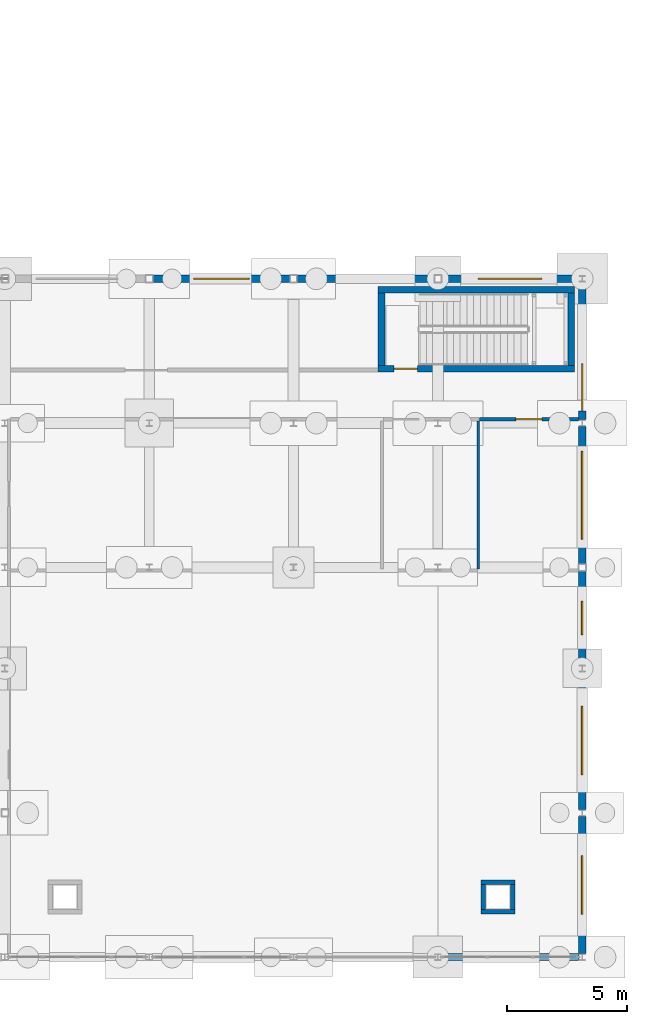
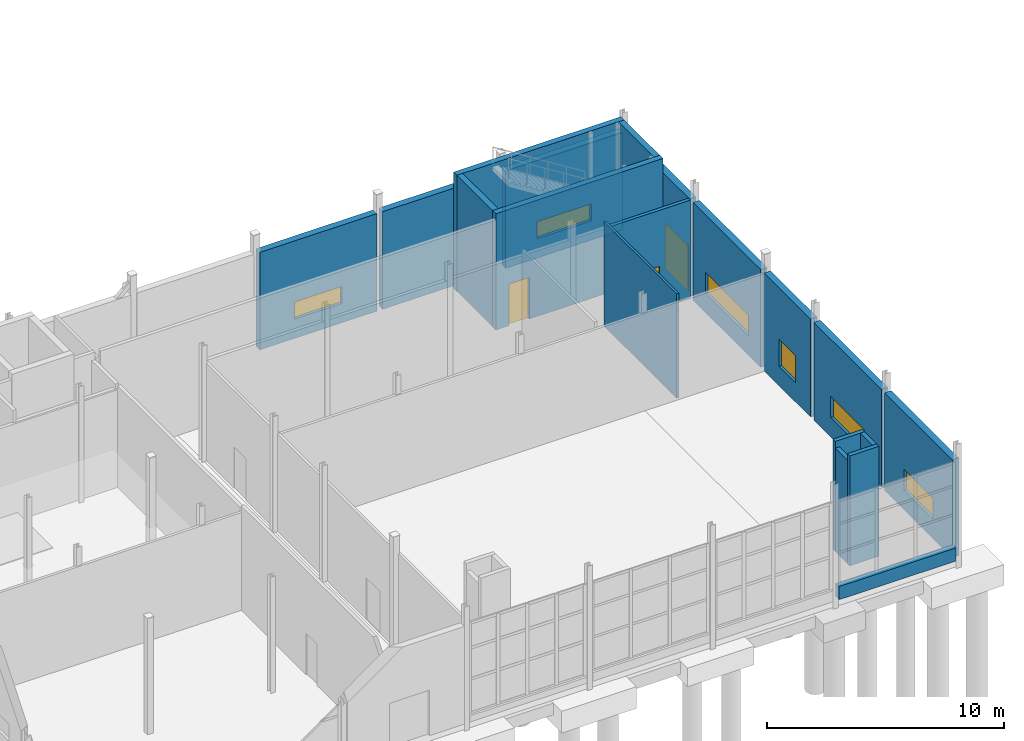
# One storey, part 102 of 120: 19 walls, 6 windows, 3 doors, 9 openings.
"""IFC4 building model written with IfcOpenShell, lengths in metres."""

from ifc_helpers import new_model, si_unit, direction, frame, frame_2d, origin, place, context, subcontext, project, spatial, rectangle, extrude, material, layer, layer_set, type_object, element, fill, save


model = new_model("IFC4")

# Units and contexts
model_context = context("Model", 3, precision=1e-05, world=origin(), true_north=direction((0.0, 1.0)))
body_context = subcontext(model_context, "Body", "Model", "MODEL_VIEW")
ifc_project = project(units=[si_unit("LENGTHUNIT", "METRE"), si_unit("AREAUNIT", "SQUARE_METRE"), si_unit("VOLUMEUNIT", "CUBIC_METRE"), si_unit("PLANEANGLEUNIT", "RADIAN"), si_unit("MASSUNIT", "GRAM", prefix="KILO")], contexts=[model_context])

# Site, building, storey
site_placement = place(None, origin())
site = spatial("IfcSite", under=ifc_project, at=site_placement, CompositionType="ELEMENT")
building_placement = place(site_placement, origin())
building = spatial("IfcBuilding", under=site, at=building_placement, Name="Siltcreek Boulevard Central Fire Station", CompositionType="ELEMENT")
storey_placement = place(building_placement, origin())
storey = spatial("IfcBuildingStorey", under=building, at=storey_placement, Name="L01", CompositionType="ELEMENT", Elevation=0.0)

# Wall, opening, door
ifc_material_1 = material(Name="Concrete C40/50", Category="concrete")
ifc_layer_1 = layer(ifc_material_1, 0.280029296875, Name="Concrete C40/50")
ifc_layer_set_1 = layer_set([ifc_layer_1], Name="Concrete C40/50")
wall_type_1 = type_object("IfcWallType", Name="CW_SHEAR280", PredefinedType="SHEAR", material=ifc_layer_set_1)
wall_1_placement = place(storey_placement, frame((157.719970703125, 26.260009765625, 0.0), z_axis=(0.0, 0.0, 1.0), x_axis=(1.0, 0.0, 0.0)))
wall_1 = element("IfcWall", 1, at=wall_1_placement, inside=storey, type_object=wall_type_1, Name="L01 ST-V6B stair enclosure south shear wall", PredefinedType="SHEAR", context=body_context, shape_type="SweptSolid", body=[
    extrude(rectangle(XDim=8.159912109375, YDim=0.280029296875, at=frame_2d((4.080078125, 0.0))), origin(), (0.0, 0.0, 1.0), 6.0),
])
opening_1_placement = place(wall_1_placement, frame((0.64990234375, 0.0, 0.0)))
opening_1 = element("IfcOpeningElement", 2, at=opening_1_placement, cuts=wall_1, Name="Opening SD-047", PredefinedType="OPENING", context=body_context, shape_type="SweptSolid", body=[
    extrude(rectangle(XDim=0.97998046875, YDim=2.14990234375, at=frame_2d((0.489990234375, 1.074951171875))), frame((0.0, 0.14990234375, 0.0), z_axis=(0.0, -1.0, 0.0), x_axis=(1.0, 0.0, 0.0)), (0.0, 0.0, 1.0), 0.300048828125),
])
ifc_material_2 = material(Name="Hollow metal 90-min enclosed stair door")
door_type_1 = type_object("IfcDoorType", Name="DR_ST_098X215", OperationType="NOTDEFINED", PredefinedType="DOOR", material=ifc_material_2)
door_1_placement = place(opening_1_placement, origin())
door_1 = element("IfcDoor", 3, at=door_1_placement, inside=storey, type_object=door_type_1, Name="L01 ST-V6B enclosed exit stair door SD-047", OperationType="SINGLE_SWING_RIGHT", OverallHeight=2.14990234375, OverallWidth=0.97998046875, PredefinedType="DOOR", context=body_context, shape_type="SweptSolid", body=[
    extrude(rectangle(XDim=0.97998046875, YDim=2.14990234375, at=frame_2d((0.489990234375, 1.074951171875))), frame((0.0, 0.02490234375, 0.0), z_axis=(0.0, -1.0, 0.0), x_axis=(1.0, 0.0, 0.0)), (0.0, 0.0, 1.0), 0.050048828125),
])
fill(opening_1, door_1)

# Walls
wall_2_placement = place(storey_placement, frame((165.8798828125, 29.5400390625, 0.0), z_axis=(0.0, 0.0, 1.0), x_axis=(-1.0, 0.0, 0.0)))
element("IfcWall", 4, at=wall_2_placement, inside=storey, type_object=wall_type_1, Name="L01 ST-V6B stair enclosure north shear wall", PredefinedType="SHEAR", context=body_context, shape_type="SweptSolid", body=[
    extrude(rectangle(XDim=8.159912109375, YDim=0.280029296875, at=frame_2d((4.080078125, 0.0))), origin(), (0.0, 0.0, 1.0), 6.0),
])
for number, where, z_axis, x_axis, name in (
    (5, (157.860107421875, 29.39990234375, 0.0), (0.0, 0.0, 1.0), (0.0, -1.0, 0.0), "L01 ST-V6B stair enclosure west shear wall"),
    (6, (165.739990234375, 26.39990234375, 0.0), (0.0, 0.0, 1.0), (0.0, 1.0, 0.0), "L01 ST-V6B stair enclosure east shear wall"),
):
    element("IfcWall", number, at=place(storey_placement, frame(where, z_axis=z_axis, x_axis=x_axis)), inside=storey, type_object=wall_type_1, Name=name, PredefinedType="SHEAR", context=body_context, shape_type="SweptSolid", body=[
        extrude(rectangle(XDim=3.0, YDim=0.280029296875, at=frame_2d((1.5, 0.0))), origin(), (0.0, 0.0, 1.0), 6.0),
    ])
ifc_material_3 = material(Name="White ribbed aluminum spandrel wall", Category="aluminium")
ifc_layer_2 = layer(ifc_material_3, 0.2900390625, Name="White ribbed aluminum spandrel wall")
ifc_layer_set_2 = layer_set([ifc_layer_2], Name="White ribbed aluminum spandrel wall")
wall_type_2 = type_object("IfcWallType", Name="EW_METAL290", PredefinedType="STANDARD", material=ifc_layer_set_2)
wall_3_placement = place(storey_placement, frame((160.344970703125, 1.800048828125, 0.0), z_axis=(0.0, 0.0, 1.0), x_axis=(1.0, 0.0, 0.0)))
element("IfcWall", 7, at=wall_3_placement, inside=storey, type_object=wall_type_2, Name="L01 V6 curtain-wall sill spandrel 0435", PredefinedType="STANDARD", context=body_context, shape_type="SweptSolid", body=[
    extrude(rectangle(XDim=5.7099609375, YDim=0.2900390625, at=frame_2d((2.85498046875, 0.0))), origin(), (0.0, 0.0, 1.0), 0.679931640625),
])

# Wall, opening, window
ifc_material_4 = material(Name="White ribbed aluminum insulated rainscreen panel", Category="aluminium")
ifc_layer_3 = layer(ifc_material_4, 0.320068359375, Name="White ribbed aluminum insulated rainscreen panel")
ifc_layer_set_3 = layer_set([ifc_layer_3], Name="White ribbed aluminum insulated rainscreen panel")
wall_type_3 = type_object("IfcWallType", Name="EW_METAL320", PredefinedType="STANDARD", material=ifc_layer_set_3)
wall_4_placement = place(storey_placement, frame((154.054931640625, 30.0, 0.0), z_axis=(0.0, 0.0, 1.0), x_axis=(-1.0, 0.0, 0.0)))
wall_4 = element("IfcWall", 8, at=wall_4_placement, inside=storey, type_object=wall_type_3, Name="L01 V6 exterior insulated rainscreen wall WL-EXT-L01-0444", PredefinedType="STANDARD", context=body_context, shape_type="SweptSolid", body=[
    extrude(rectangle(XDim=5.7099609375, YDim=0.320068359375, at=frame_2d((2.85498046875, 0.0))), origin(), (0.0, 0.0, 1.0), 5.034912109375),
])
opening_2_placement = place(wall_4_placement, frame((1.705078125, 0.0, 1.0)))
opening_2 = element("IfcOpeningElement", 9, at=opening_2_placement, cuts=wall_4, Name="Opening WN26", PredefinedType="OPENING", context=body_context, shape_type="SweptSolid", body=[
    extrude(rectangle(XDim=2.300048828125, YDim=0.8798828125, at=frame_2d((1.14990234375, 0.43994140625))), frame((0.0, 0.169921875, 0.0), z_axis=(0.0, -1.0, 0.0), x_axis=(1.0, 0.0, 0.0)), (0.0, 0.0, 1.0), 0.340087890625),
])
ifc_material_5 = material(Name="Thermally broken aluminum frame with low-E insulated glass", Category="aluminium")
window_type_1 = type_object("IfcWindowType", Name="WN_CL_230X088", PartitioningType="SINGLE_PANEL", PredefinedType="WINDOW", material=ifc_material_5)
window_1_placement = place(opening_2_placement, origin())
window_1 = element("IfcWindow", 10, at=window_1_placement, inside=storey, type_object=window_type_1, Name="L01 V6 exterior window WN-0167", OverallHeight=0.8798828125, OverallWidth=2.300048828125, PartitioningType="SINGLE_PANEL", PredefinedType="WINDOW", context=body_context, shape_type="SweptSolid", body=[
    extrude(rectangle(XDim=2.300048828125, YDim=0.8798828125, at=frame_2d((1.14990234375, 0.43994140625))), frame((0.0, 0.030029296875, 0.0), z_axis=(0.0, -1.0, 0.0), x_axis=(1.0, 0.0, 0.0)), (0.0, 0.0, 1.0), 0.06005859375),
])
fill(opening_2, window_1)

# Wall
wall_5_placement = place(storey_placement, frame((160.054931640625, 30.0, 0.0), z_axis=(0.0, 0.0, 1.0), x_axis=(-1.0, 0.0, 0.0)))
element("IfcWall", 11, at=wall_5_placement, inside=storey, type_object=wall_type_3, Name="L01 V6 exterior insulated rainscreen wall WL-EXT-L01-0445", PredefinedType="STANDARD", context=body_context, shape_type="SweptSolid", body=[
    extrude(rectangle(XDim=5.7099609375, YDim=0.320068359375, at=frame_2d((2.85498046875, 0.0))), origin(), (0.0, 0.0, 1.0), 5.034912109375),
])

# Wall, opening, window
wall_6_placement = place(storey_placement, frame((166.054931640625, 30.0, 0.0), z_axis=(0.0, 0.0, 1.0), x_axis=(-1.0, 0.0, 0.0)))
wall_6 = element("IfcWall", 12, at=wall_6_placement, inside=storey, type_object=wall_type_3, Name="L01 V6 exterior insulated rainscreen wall WL-EXT-L01-0446", PredefinedType="STANDARD", context=body_context, shape_type="SweptSolid", body=[
    extrude(rectangle(XDim=5.7099609375, YDim=0.320068359375, at=frame_2d((2.85498046875, 0.0))), origin(), (0.0, 0.0, 1.0), 5.034912109375),
])
opening_3_placement = place(wall_6_placement, frame((1.530029296875, 0.0, 1.0)))
opening_3 = element("IfcOpeningElement", 13, at=opening_3_placement, cuts=wall_6, Name="Opening WN27", PredefinedType="OPENING", context=body_context, shape_type="SweptSolid", body=[
    extrude(rectangle(XDim=2.64990234375, YDim=0.8798828125, at=frame_2d((1.324951171875, 0.43994140625))), frame((0.0, 0.169921875, 0.0), z_axis=(0.0, -1.0, 0.0), x_axis=(1.0, 0.0, 0.0)), (0.0, 0.0, 1.0), 0.340087890625),
])
window_type_2 = type_object("IfcWindowType", Name="WN_CL_265X088", PartitioningType="SINGLE_PANEL", PredefinedType="WINDOW", material=ifc_material_5)
window_2_placement = place(opening_3_placement, origin())
window_2 = element("IfcWindow", 14, at=window_2_placement, inside=storey, type_object=window_type_2, Name="L01 V6 exterior window WN-0168", OverallHeight=0.8798828125, OverallWidth=2.64990234375, PartitioningType="SINGLE_PANEL", PredefinedType="WINDOW", context=body_context, shape_type="SweptSolid", body=[
    extrude(rectangle(XDim=2.64990234375, YDim=0.8798828125, at=frame_2d((1.324951171875, 0.43994140625))), frame((0.0, 0.030029296875, 0.0), z_axis=(0.0, -1.0, 0.0), x_axis=(1.0, 0.0, 0.0)), (0.0, 0.0, 1.0), 0.06005859375),
])
fill(opening_3, window_2)

wall_7_placement = place(storey_placement, frame((166.199951171875, 1.945068359375, 0.0), z_axis=(0.0, 0.0, 1.0), x_axis=(0.0, 1.0, 0.0)))
wall_7 = element("IfcWall", 15, at=wall_7_placement, inside=storey, type_object=wall_type_3, Name="L01 V6 exterior insulated rainscreen wall WL-EXT-L01-0452", PredefinedType="STANDARD", context=body_context, shape_type="SweptSolid", body=[
    extrude(rectangle(XDim=5.7099609375, YDim=0.320068359375, at=frame_2d((2.85498046875, 0.0))), origin(), (0.0, 0.0, 1.0), 5.0439453125),
])
opening_4_placement = place(wall_7_placement, frame((1.6298828125, 0.0, 1.0)))
opening_4 = element("IfcOpeningElement", 16, at=opening_4_placement, cuts=wall_7, Name="Opening WN31", PredefinedType="OPENING", context=body_context, shape_type="SweptSolid", body=[
    extrude(rectangle(XDim=2.449951171875, YDim=1.080078125, at=frame_2d((1.22509765625, 0.5400390625))), frame((0.0, 0.169921875, 0.0), z_axis=(0.0, -1.0, 0.0), x_axis=(1.0, 0.0, 0.0)), (0.0, 0.0, 1.0), 0.340087890625),
])
window_type_3 = type_object("IfcWindowType", Name="WN_CL_245X108", PartitioningType="SINGLE_PANEL", PredefinedType="WINDOW", material=ifc_material_5)
window_3_placement = place(opening_4_placement, origin())
window_3 = element("IfcWindow", 17, at=window_3_placement, inside=storey, type_object=window_type_3, Name="L01 V6 exterior window WN-0172", OverallHeight=1.080078125, OverallWidth=2.449951171875, PartitioningType="SINGLE_PANEL", PredefinedType="WINDOW", context=body_context, shape_type="SweptSolid", body=[
    extrude(rectangle(XDim=2.449951171875, YDim=1.080078125, at=frame_2d((1.22509765625, 0.5400390625))), frame((0.0, 0.030029296875, 0.0), z_axis=(0.0, -1.0, 0.0), x_axis=(1.0, 0.0, 0.0)), (0.0, 0.0, 1.0), 0.06005859375),
])
fill(opening_4, window_3)

wall_8_placement = place(storey_placement, frame((166.199951171875, 7.945068359375, 0.0), z_axis=(0.0, 0.0, 1.0), x_axis=(0.0, 1.0, 0.0)))
wall_8 = element("IfcWall", 18, at=wall_8_placement, inside=storey, type_object=wall_type_3, Name="L01 V6 exterior insulated rainscreen wall WL-EXT-L01-0453", PredefinedType="STANDARD", context=body_context, shape_type="SweptSolid", body=[
    extrude(rectangle(XDim=5.7099609375, YDim=0.320068359375, at=frame_2d((2.85498046875, 0.0))), origin(), (0.0, 0.0, 1.0), 5.0439453125),
])
opening_5_placement = place(wall_8_placement, frame((1.429931640625, 0.0, 1.0)))
opening_5 = element("IfcOpeningElement", 19, at=opening_5_placement, cuts=wall_8, Name="Opening WN32", PredefinedType="OPENING", context=body_context, shape_type="SweptSolid", body=[
    extrude(rectangle(XDim=2.85009765625, YDim=1.080078125, at=frame_2d((1.425048828125, 0.5400390625))), frame((0.0, 0.169921875, 0.0), z_axis=(0.0, -1.0, 0.0), x_axis=(1.0, 0.0, 0.0)), (0.0, 0.0, 1.0), 0.340087890625),
])
window_type_4 = type_object("IfcWindowType", Name="WN_CL_285X108", PartitioningType="SINGLE_PANEL", PredefinedType="WINDOW", material=ifc_material_5)
window_4_placement = place(opening_5_placement, origin())
window_4 = element("IfcWindow", 20, at=window_4_placement, inside=storey, type_object=window_type_4, Name="L01 V6 exterior window WN-0173", OverallHeight=1.080078125, OverallWidth=2.85009765625, PartitioningType="SINGLE_PANEL", PredefinedType="WINDOW", context=body_context, shape_type="SweptSolid", body=[
    extrude(rectangle(XDim=2.85009765625, YDim=1.080078125, at=frame_2d((1.425048828125, 0.5400390625))), frame((0.0, 0.030029296875, 0.0), z_axis=(0.0, -1.0, 0.0), x_axis=(1.0, 0.0, 0.0)), (0.0, 0.0, 1.0), 0.06005859375),
])
fill(opening_5, window_4)

wall_9_placement = place(storey_placement, frame((166.199951171875, 13.945068359375, 0.0), z_axis=(0.0, 0.0, 1.0), x_axis=(0.0, 1.0, 0.0)))
wall_9 = element("IfcWall", 21, at=wall_9_placement, inside=storey, type_object=wall_type_3, Name="L01 V6 exterior insulated rainscreen wall WL-EXT-L01-0454", PredefinedType="STANDARD", context=body_context, shape_type="SweptSolid", body=[
    extrude(rectangle(XDim=3.909912109375, YDim=0.320068359375, at=frame_2d((1.955078125, 0.0))), origin(), (0.0, 0.0, 1.0), 5.0439453125),
])
opening_6_placement = place(wall_9_placement, frame((1.264892578125, 0.0, 1.0)))
opening_6 = element("IfcOpeningElement", 22, at=opening_6_placement, cuts=wall_9, Name="Opening WN41", PredefinedType="OPENING", context=body_context, shape_type="SweptSolid", body=[
    extrude(rectangle(XDim=1.3798828125, YDim=1.3798828125, at=frame_2d((0.68994140625, 0.68994140625))), frame((0.0, 0.169921875, 0.0), z_axis=(0.0, -1.0, 0.0), x_axis=(1.0, 0.0, 0.0)), (0.0, 0.0, 1.0), 0.340087890625),
])
window_type_5 = type_object("IfcWindowType", Name="WN_SQ_138X138", PartitioningType="SINGLE_PANEL", PredefinedType="WINDOW", material=ifc_material_5)
window_5_placement = place(opening_6_placement, origin())
window_5 = element("IfcWindow", 23, at=window_5_placement, inside=storey, type_object=window_type_5, Name="L01 V6 exterior window WN-0174", OverallHeight=1.3798828125, OverallWidth=1.3798828125, PartitioningType="SINGLE_PANEL", PredefinedType="WINDOW", context=body_context, shape_type="SweptSolid", body=[
    extrude(rectangle(XDim=1.3798828125, YDim=1.3798828125, at=frame_2d((0.68994140625, 0.68994140625))), frame((0.0, 0.030029296875, 0.0), z_axis=(0.0, -1.0, 0.0), x_axis=(1.0, 0.0, 0.0)), (0.0, 0.0, 1.0), 0.06005859375),
])
fill(opening_6, window_5)

wall_10_placement = place(storey_placement, frame((166.199951171875, 18.14501953125, 0.0), z_axis=(0.0, 0.0, 1.0), x_axis=(0.0, 1.0, 0.0)))
wall_10 = element("IfcWall", 24, at=wall_10_placement, inside=storey, type_object=wall_type_3, Name="L01 V6 exterior insulated rainscreen wall WL-EXT-L01-0455", PredefinedType="STANDARD", context=body_context, shape_type="SweptSolid", body=[
    extrude(rectangle(XDim=5.7099609375, YDim=0.320068359375, at=frame_2d((2.85498046875, 0.0))), origin(), (0.0, 0.0, 1.0), 5.0439453125),
])
opening_7_placement = place(wall_10_placement, frame((1.030029296875, 0.0, 1.0)))
opening_7 = element("IfcOpeningElement", 25, at=opening_7_placement, cuts=wall_10, Name="Opening WN34", PredefinedType="OPENING", context=body_context, shape_type="SweptSolid", body=[
    extrude(rectangle(XDim=3.64990234375, YDim=1.080078125, at=frame_2d((1.824951171875, 0.5400390625))), frame((0.0, 0.169921875, 0.0), z_axis=(0.0, -1.0, 0.0), x_axis=(1.0, 0.0, 0.0)), (0.0, 0.0, 1.0), 0.340087890625),
])
window_type_6 = type_object("IfcWindowType", Name="WN_CL_365X108", PartitioningType="SINGLE_PANEL", PredefinedType="WINDOW", material=ifc_material_5)
window_6_placement = place(opening_7_placement, origin())
window_6 = element("IfcWindow", 26, at=window_6_placement, inside=storey, type_object=window_type_6, Name="L01 V6 exterior window WN-0175", OverallHeight=1.080078125, OverallWidth=3.64990234375, PartitioningType="SINGLE_PANEL", PredefinedType="WINDOW", context=body_context, shape_type="SweptSolid", body=[
    extrude(rectangle(XDim=3.64990234375, YDim=1.080078125, at=frame_2d((1.824951171875, 0.5400390625))), frame((0.0, 0.030029296875, 0.0), z_axis=(0.0, -1.0, 0.0), x_axis=(1.0, 0.0, 0.0)), (0.0, 0.0, 1.0), 0.06005859375),
])
fill(opening_7, window_6)

# Wall, opening, door
wall_11_placement = place(storey_placement, frame((166.199951171875, 24.14501953125, 0.0), z_axis=(0.0, 0.0, 1.0), x_axis=(0.0, 1.0, 0.0)))
wall_11 = element("IfcWall", 27, at=wall_11_placement, inside=storey, type_object=wall_type_3, Name="L01 V6 exterior insulated rainscreen wall WL-EXT-L01-0456", PredefinedType="STANDARD", context=body_context, shape_type="SweptSolid", body=[
    extrude(rectangle(XDim=5.7099609375, YDim=0.320068359375, at=frame_2d((2.85498046875, 0.0))), origin(), (0.0, 0.0, 1.0), 5.0439453125),
])
opening_8_placement = place(wall_11_placement, frame((0.366455078125, 0.0, 0.0)))
opening_8 = element("IfcOpeningElement", 28, at=opening_8_placement, cuts=wall_11, Name="Opening ED-144", PredefinedType="OPENING", context=body_context, shape_type="SweptSolid", body=[
    extrude(rectangle(XDim=1.949951171875, YDim=2.35009765625, at=frame_2d((0.97509765625, 1.175048828125))), frame((0.0, 0.169921875, 0.0), z_axis=(0.0, -1.0, 0.0), x_axis=(1.0, 0.0, 0.0)), (0.0, 0.0, 1.0), 0.340087890625),
])
ifc_material_6 = material(Name="Hollow metal insulated exit discharge pair")
door_type_2 = type_object("IfcDoorType", Name="DR_EXT_195X235", OperationType="NOTDEFINED", PredefinedType="DOOR", material=ifc_material_6)
door_2_placement = place(opening_8_placement, frame((1.949951171875, 0.0, 0.0), z_axis=(0.0, 0.0, 1.0), x_axis=(-1.0, 0.0, 0.0)))
door_2 = element("IfcDoor", 29, at=door_2_placement, inside=storey, type_object=door_type_2, Name="Ground level pedestrian final exit door ED-144", OperationType="DOUBLE_DOOR_SINGLE_SWING", OverallHeight=2.35009765625, OverallWidth=1.949951171875, PredefinedType="DOOR", context=body_context, shape_type="SweptSolid", body=[
    extrude(rectangle(XDim=1.949951171875, YDim=2.35009765625, at=frame_2d((0.97509765625, 1.175048828125))), frame((0.0, 0.02490234375, 0.0), z_axis=(0.0, -1.0, 0.0), x_axis=(1.0, 0.0, 0.0)), (0.0, 0.0, 1.0), 0.050048828125),
])
fill(opening_8, door_2)

# Walls
ifc_material_7 = material(Name="Fire-rated concrete masonry and gypsum barrier", Category="masonry")
ifc_layer_4 = layer(ifc_material_7, 0.199951171875, Name="Fire-rated concrete masonry and gypsum barrier")
ifc_layer_set_4 = layer_set([ifc_layer_4], Name="Fire-rated concrete masonry and gypsum barrier")
wall_type_4 = type_object("IfcWallType", Name="IW_FIRE200", PredefinedType="PARTITIONING", material=ifc_layer_set_4)
wall_12_placement = place(storey_placement, frame((161.985107421875, 3.68505859375, 0.0), z_axis=(0.0, 0.0, 1.0), x_axis=(1.0, 0.0, 0.0)))
element("IfcWall", 30, at=wall_12_placement, inside=storey, type_object=wall_type_4, Name="L01 enclosed MEP service riser wall 016-S", PredefinedType="PARTITIONING", context=body_context, shape_type="SweptSolid", body=[
    extrude(rectangle(XDim=1.429931640625, YDim=0.199951171875, at=frame_2d((0.71484375, 0.0))), origin(), (0.0, 0.0, 1.0), 5.679931640625),
])
wall_13_placement = place(storey_placement, frame((163.31494140625, 3.784912109375, 0.0), z_axis=(0.0, 0.0, 1.0), x_axis=(0.0, 1.0, 0.0)))
element("IfcWall", 31, at=wall_13_placement, inside=storey, type_object=wall_type_4, Name="L01 enclosed MEP service riser wall 016-E", PredefinedType="PARTITIONING", context=body_context, shape_type="SweptSolid", body=[
    extrude(rectangle(XDim=1.030029296875, YDim=0.199951171875, at=frame_2d((0.51513671875, 0.0))), origin(), (0.0, 0.0, 1.0), 5.679931640625),
])
wall_14_placement = place(storey_placement, frame((163.4150390625, 4.9150390625, 0.0), z_axis=(0.0, 0.0, 1.0), x_axis=(-1.0, 0.0, 0.0)))
element("IfcWall", 32, at=wall_14_placement, inside=storey, type_object=wall_type_4, Name="L01 enclosed MEP service riser wall 016-N", PredefinedType="PARTITIONING", context=body_context, shape_type="SweptSolid", body=[
    extrude(rectangle(XDim=1.429931640625, YDim=0.199951171875, at=frame_2d((0.71484375, 0.0))), origin(), (0.0, 0.0, 1.0), 5.679931640625),
])
wall_15_placement = place(storey_placement, frame((162.0849609375, 4.81494140625, 0.0), z_axis=(0.0, 0.0, 1.0), x_axis=(0.0, -1.0, 0.0)))
element("IfcWall", 33, at=wall_15_placement, inside=storey, type_object=wall_type_4, Name="L01 enclosed MEP service riser wall 016-W", PredefinedType="PARTITIONING", context=body_context, shape_type="SweptSolid", body=[
    extrude(rectangle(XDim=1.030029296875, YDim=0.199951171875, at=frame_2d((0.51513671875, 0.0))), origin(), (0.0, 0.0, 1.0), 5.339111328125),
])

# Wall, opening, door
ifc_material_8 = material(Name="Acoustic smoke-barrier steel stud gypsum wall", Category="steel")
ifc_layer_5 = layer(ifc_material_8, 0.1650390625, Name="Acoustic smoke-barrier steel stud gypsum wall")
ifc_layer_set_5 = layer_set([ifc_layer_5], Name="Acoustic smoke-barrier steel stud gypsum wall")
wall_type_5 = type_object("IfcWallType", Name="IW_SMK165", PredefinedType="PARTITIONING", material=ifc_layer_set_5)
wall_16_placement = place(storey_placement, frame((161.93505859375, 24.159912109375, 0.0), z_axis=(0.0, 0.0, 1.0), x_axis=(1.0, 0.0, 0.0)))
wall_16 = element("IfcWall", 34, at=wall_16_placement, inside=storey, type_object=wall_type_5, Name="L01 Civic Accessible Toilet L01 partition 0108", PredefinedType="PARTITIONING", context=body_context, shape_type="SweptSolid", body=[
    extrude(rectangle(XDim=4.10498046875, YDim=0.1650390625, at=frame_2d((2.052490234375, 0.0))), origin(), (0.0, 0.0, 1.0), 5.034912109375),
])
opening_9_placement = place(wall_16_placement, frame((1.512451171875, 0.0, 0.0)))
opening_9 = element("IfcOpeningElement", 35, at=opening_9_placement, cuts=wall_16, Name="Opening DD01", PredefinedType="OPENING", context=body_context, shape_type="SweptSolid", body=[
    extrude(rectangle(XDim=1.080078125, YDim=2.139892578125, at=frame_2d((0.5400390625, 1.06982421875))), frame((0.0, 0.092529296875, 0.0), z_axis=(0.0, -1.0, 0.0), x_axis=(1.0, 0.0, 0.0)), (0.0, 0.0, 1.0), 0.18505859375),
])
ifc_material_9 = material(Name="Stainless steel positive-pressure decon airlock door", Category="steel")
door_type_3 = type_object("IfcDoorType", Name="DR_DEC_108X214", OperationType="NOTDEFINED", PredefinedType="DOOR", material=ifc_material_9)
door_3_placement = place(opening_9_placement, frame((1.080078125, 0.0, 0.0), z_axis=(0.0, 0.0, 1.0), x_axis=(-1.0, 0.0, 0.0)))
door_3 = element("IfcDoor", 36, at=door_3_placement, inside=storey, type_object=door_type_3, Name="L01 Civic Accessible Toilet L01 door ID-0049", OperationType="SINGLE_SWING_RIGHT", OverallHeight=2.139892578125, OverallWidth=1.080078125, PredefinedType="DOOR", context=body_context, shape_type="SweptSolid", body=[
    extrude(rectangle(XDim=1.080078125, YDim=2.139892578125, at=frame_2d((0.5400390625, 1.06982421875))), frame((0.0, 0.02490234375, 0.0), z_axis=(0.0, -1.0, 0.0), x_axis=(1.0, 0.0, 0.0)), (0.0, 0.0, 1.0), 0.050048828125),
])
fill(opening_9, door_3)

# Wall
ifc_material_10 = material(Name="Moisture-resistant tile backer toilet partition", Category="gypsum")
ifc_layer_6 = layer(ifc_material_10, 0.110107421875, Name="Moisture-resistant tile backer toilet partition")
ifc_layer_set_6 = layer_set([ifc_layer_6], Name="Moisture-resistant tile backer toilet partition")
wall_type_6 = type_object("IfcWallType", Name="IW_WET110", PredefinedType="PARTITIONING", material=ifc_layer_set_6)
wall_17_placement = place(storey_placement, frame((161.8798828125, 24.080078125, 0.0), z_axis=(0.0, 0.0, 1.0), x_axis=(0.0, -1.0, 0.0)))
element("IfcWall", 37, at=wall_17_placement, inside=storey, type_object=wall_type_6, Name="L01 Civic Public Toilet L01 partition 0107", PredefinedType="PARTITIONING", context=body_context, shape_type="SweptSolid", body=[
    extrude(rectangle(XDim=6.1376953125, YDim=0.110107421875, at=frame_2d((3.06884765625, 0.0))), origin(), (0.0, 0.0, 1.0), 5.389892578125),
])

save(model, "model.ifc")
